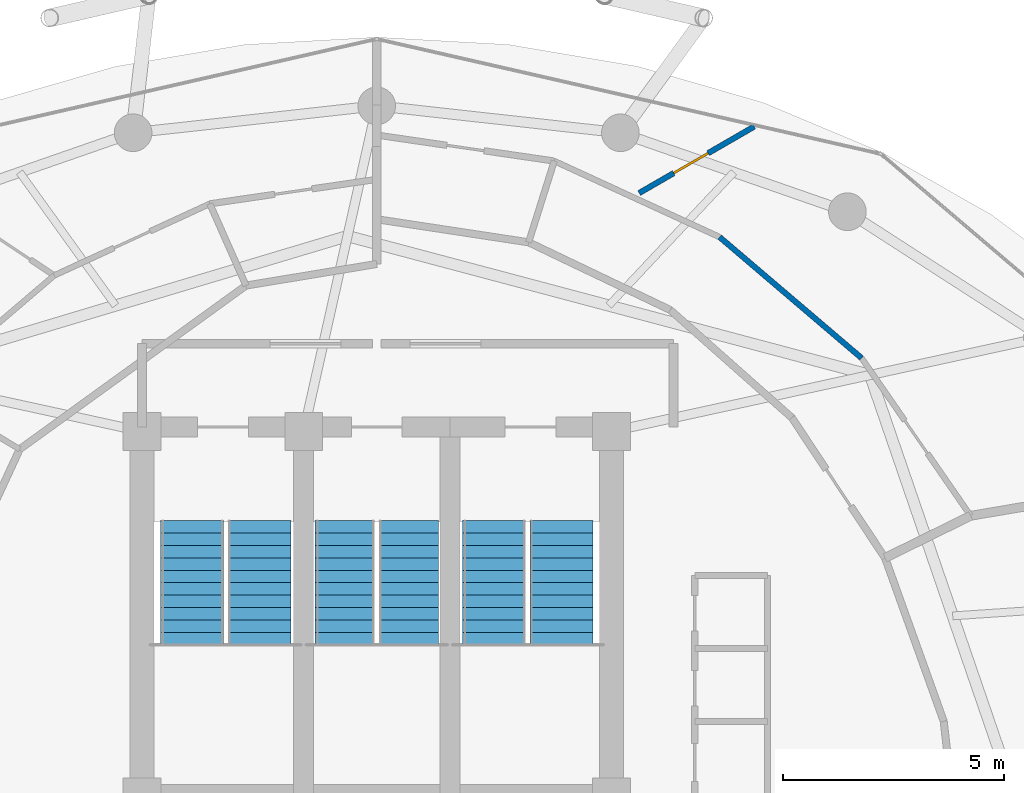
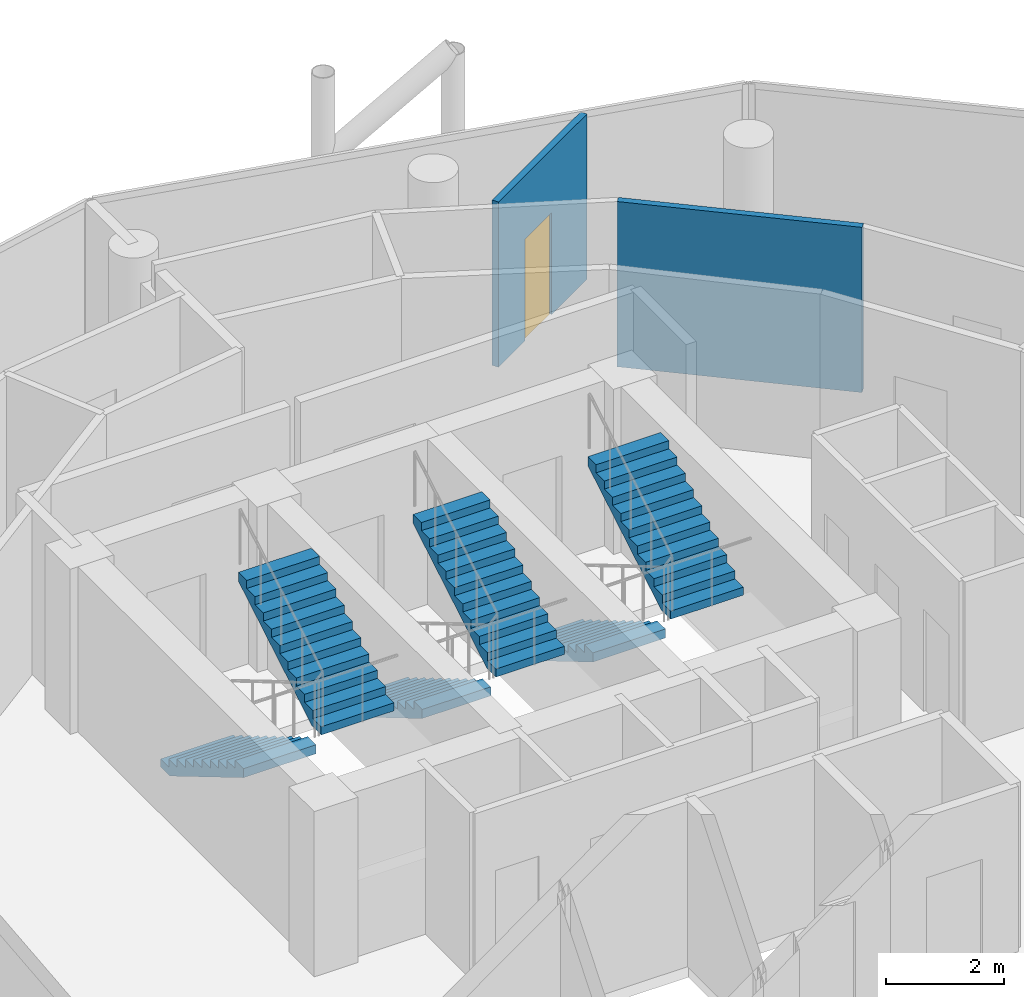
# One storey, part 26 of 27: 6 stair flights, 2 walls, 1 door, 1 opening, 3 elements without a shape of their own.
"""IFC4 building model written with IfcOpenShell, lengths in metres."""

from ifc_helpers import new_model, si_unit, direction, frame, frame_2d, origin, place, context, subcontext, project, spatial, polyline, rectangle, outline, extrude, material, layer, layer_set, type_object, element, fill, aggregate, save


model = new_model("IFC4")

# Units and contexts
model_context = context("Model", 3, precision=1e-05, world=origin(), true_north=direction((0.0, 1.0)))
body_context = subcontext(model_context, "Body", "Model", "MODEL_VIEW")
ifc_project = project(units=[si_unit("LENGTHUNIT", "METRE"), si_unit("AREAUNIT", "SQUARE_METRE"), si_unit("VOLUMEUNIT", "CUBIC_METRE"), si_unit("PLANEANGLEUNIT", "RADIAN"), si_unit("MASSUNIT", "GRAM", prefix="KILO")], contexts=[model_context])

# Site, building, storey
site_placement = place(None, origin())
site = spatial("IfcSite", under=ifc_project, at=site_placement, CompositionType="ELEMENT")
building_placement = place(site_placement, origin())
building = spatial("IfcBuilding", under=site, at=building_placement, Name="Nuhasar Tower", CompositionType="ELEMENT")
storey_placement = place(building_placement, frame((0.0, 0.0, 230.050048828125)))
storey = spatial("IfcBuildingStorey", under=building, at=storey_placement, Name="L56", CompositionType="ELEMENT", Elevation=230.050048828125)

# Wall
ifc_material_1 = material(Name="Gypsum Board", Category="gypsum")
ifc_layer = layer(ifc_material_1, 0.125)
ifc_layer_set = layer_set([ifc_layer], Name="Gypsum Board")
wall_type = type_object("IfcWallType", Name="WL-PART-125", PredefinedType="PARTITIONING", material=ifc_layer_set)
wall_1_placement = place(storey_placement, frame((49.946044921875, 38.955078125, 0.0), z_axis=(0.0, 0.0, 1.0), x_axis=(-0.761143609707, 0.648583383538, 0.0)))
element("IfcWall", 1, at=wall_1_placement, inside=storey, type_object=wall_type, Name="L56 Interior Partition UMID-03-A-06", PredefinedType="PARTITIONING", context=body_context, shape_type="SweptSolid", body=[
    extrude(rectangle(XDim=4.212158203125, YDim=0.125, at=frame_2d((2.10595703125, 0.0))), origin(), (0.0, 0.0, 1.0), 3.409912109375),
])

# Wall, opening, door
wall_2_placement = place(storey_placement, frame((44.924072265625, 42.680908203125, 0.0), z_axis=(0.0, 0.0, 1.0), x_axis=(0.865693518227, 0.500574402561, 0.0)))
wall_2 = element("IfcWall", 2, at=wall_2_placement, inside=storey, type_object=wall_type, Name="L56 Interior Partition UOUT-03-B1", PredefinedType="PARTITIONING", context=body_context, shape_type="SweptSolid", body=[
    extrude(rectangle(XDim=3.0009765625, YDim=0.125, at=frame_2d((1.50048828125, 0.0))), origin(), (0.0, 0.0, 1.0), 3.409912109375),
])
opening_placement = place(wall_2_placement, frame((0.89990234375, 0.0, 0.0)))
opening = element("IfcOpeningElement", 3, at=opening_placement, cuts=wall_2, Name="Opening DR-01", PredefinedType="OPENING", context=body_context, shape_type="SweptSolid", body=[
    extrude(rectangle(XDim=0.89990234375, YDim=2.10009765625, at=frame_2d((0.449951171875, 1.050048828125))), frame((0.0, 0.072509765625, 0.0), z_axis=(0.0, -1.0, 0.0), x_axis=(1.0, 0.0, 0.0)), (0.0, 0.0, 1.0), 0.14501953125),
])
ifc_material_2 = material(Name="Timber Oak", Category="wood")
door_type = type_object("IfcDoorType", Name="DR-ROOM-900", OperationType="NOTDEFINED", PredefinedType="DOOR", material=ifc_material_2)
door_placement = place(opening_placement, origin())
door = element("IfcDoor", 4, at=door_placement, inside=storey, type_object=door_type, Name="L56 U03 Bedroom Door", OperationType="SINGLE_SWING_LEFT", OverallHeight=2.10009765625, OverallWidth=0.89990234375, PredefinedType="DOOR", context=body_context, shape_type="SweptSolid", body=[
    extrude(rectangle(XDim=0.89990234375, YDim=2.10009765625, at=frame_2d((0.449951171875, 1.050048828125))), frame((0.0, 0.02490234375, 0.0), z_axis=(0.0, -1.0, 0.0), x_axis=(1.0, 0.0, 0.0)), (0.0, 0.0, 1.0), 0.050048828125),
])
fill(opening, door)

# Stair, stair flights
ifc_material_3 = material(Name="Concrete C45/55", Category="concrete")
stair_type_1 = type_object("IfcStairType", Name="STR-ST-01-2F-22R-1659", PredefinedType="HALF_TURN_STAIR", material=ifc_material_3)
stair_1_placement = place(storey_placement, origin())
stair_1 = element("IfcStair", 5, at=stair_1_placement, inside=storey, type_object=stair_type_1, Name="L56 Exit Stair ST-01", PredefinedType="HALF_TURN_STAIR")
stair_flight_type_1 = type_object("IfcStairFlightType", Name="SFL-ST-01-11R-1659", PredefinedType="STRAIGHT", material=ifc_material_3)
stair_flight_1_placement = place(storey_placement, frame((34.830078125, 35.284912109375, 0.0), z_axis=(0.0, 0.0, 1.0), x_axis=(0.0, -1.0, 0.0)))
stair_flight_1 = element("IfcStairFlight", 6, at=stair_flight_1_placement, type_object=stair_flight_type_1, Name="ST-01 flight 1", NumberOfRisers=11, NumberOfTreads=10, PredefinedType="STRAIGHT", RiserHeight=0.165909, TreadLength=0.28, context=body_context, shape_type="SweptSolid", body=[
    extrude(outline(polyline([(0.0, 0.0), (0.0, 0.166015625), (0.280029296875, 0.166015625), (0.280029296875, 0.331787109375), (0.56005859375, 0.331787109375), (0.56005859375, 0.497802734375), (0.840087890625, 0.497802734375), (0.840087890625, 0.66357421875), (1.1201171875, 0.66357421875), (1.1201171875, 0.82958984375), (1.39990234375, 0.82958984375), (1.39990234375, 0.995361328125), (1.679931640625, 0.995361328125), (1.679931640625, 1.161376953125), (1.9599609375, 1.161376953125), (1.9599609375, 1.327392578125), (2.239990234375, 1.327392578125), (2.239990234375, 1.4931640625), (2.52001953125, 1.4931640625), (2.52001953125, 1.6591796875), (2.800048828125, 1.6591796875), (2.800048828125, 1.824951171875), (2.800048828125, 1.47314453125), (0.313720703125, 0.0), (0.0, 0.0)])), frame((0.0, 0.7099609375, 0.0), z_axis=(0.0, -1.0, 0.0), x_axis=(1.0, 0.0, 0.0)), (0.0, 0.0, 1.0), 1.419921875),
])
stair_flight_2_placement = place(storey_placement, frame((36.35009765625, 32.485107421875, 1.824951171875), z_axis=(0.0, 0.0, 1.0), x_axis=(0.0, 1.0, 0.0)))
stair_flight_2 = element("IfcStairFlight", 7, at=stair_flight_2_placement, type_object=stair_flight_type_1, Name="ST-01 flight 2", NumberOfRisers=11, NumberOfTreads=10, PredefinedType="STRAIGHT", RiserHeight=0.165909, TreadLength=0.28, context=body_context, shape_type="SweptSolid", body=[
    extrude(outline(polyline([(0.0, 0.0), (0.0, 0.166015625), (0.280029296875, 0.166015625), (0.280029296875, 0.331787109375), (0.56005859375, 0.331787109375), (0.56005859375, 0.497802734375), (0.840087890625, 0.497802734375), (0.840087890625, 0.66357421875), (1.1201171875, 0.66357421875), (1.1201171875, 0.82958984375), (1.39990234375, 0.82958984375), (1.39990234375, 0.995361328125), (1.679931640625, 0.995361328125), (1.679931640625, 1.161376953125), (1.9599609375, 1.161376953125), (1.9599609375, 1.327392578125), (2.239990234375, 1.327392578125), (2.239990234375, 1.4931640625), (2.52001953125, 1.4931640625), (2.52001953125, 1.6591796875), (2.800048828125, 1.6591796875), (2.800048828125, 1.824951171875), (2.800048828125, 1.47314453125), (0.313720703125, 0.0), (0.0, 0.0)])), frame((0.0, 0.7099609375, 0.0), z_axis=(0.0, -1.0, 0.0), x_axis=(1.0, 0.0, 0.0)), (0.0, 0.0, 1.0), 1.419921875),
])
aggregate(stair_1, [stair_flight_1, stair_flight_2])

stair_type_2 = type_object("IfcStairType", Name="STR-ST-02-2F-22R-1659", PredefinedType="HALF_TURN_STAIR", material=ifc_material_3)
stair_2_placement = place(storey_placement, origin())
stair_2 = element("IfcStair", 8, at=stair_2_placement, inside=storey, type_object=stair_type_2, Name="L56 Exit Stair ST-02", PredefinedType="HALF_TURN_STAIR")
stair_flight_type_2 = type_object("IfcStairFlightType", Name="SFL-ST-02-11R-1659", PredefinedType="STRAIGHT", material=ifc_material_3)
stair_flight_3_placement = place(storey_placement, frame((41.64990234375, 35.284912109375, 0.0), z_axis=(0.0, 0.0, 1.0), x_axis=(0.0, -1.0, 0.0)))
stair_flight_3 = element("IfcStairFlight", 9, at=stair_flight_3_placement, type_object=stair_flight_type_2, Name="ST-02 flight 1", NumberOfRisers=11, NumberOfTreads=10, PredefinedType="STRAIGHT", RiserHeight=0.165909, TreadLength=0.28, context=body_context, shape_type="SweptSolid", body=[
    extrude(outline(polyline([(0.0, 0.0), (0.0, 0.166015625), (0.280029296875, 0.166015625), (0.280029296875, 0.331787109375), (0.56005859375, 0.331787109375), (0.56005859375, 0.497802734375), (0.840087890625, 0.497802734375), (0.840087890625, 0.66357421875), (1.1201171875, 0.66357421875), (1.1201171875, 0.82958984375), (1.39990234375, 0.82958984375), (1.39990234375, 0.995361328125), (1.679931640625, 0.995361328125), (1.679931640625, 1.161376953125), (1.9599609375, 1.161376953125), (1.9599609375, 1.327392578125), (2.239990234375, 1.327392578125), (2.239990234375, 1.4931640625), (2.52001953125, 1.4931640625), (2.52001953125, 1.6591796875), (2.800048828125, 1.6591796875), (2.800048828125, 1.824951171875), (2.800048828125, 1.47314453125), (0.313720703125, 0.0), (0.0, 0.0)])), frame((0.0, 0.7099609375, 0.0), z_axis=(0.0, -1.0, 0.0), x_axis=(1.0, 0.0, 0.0)), (0.0, 0.0, 1.0), 1.419921875),
])
stair_flight_4_placement = place(storey_placement, frame((43.169921875, 32.485107421875, 1.824951171875), z_axis=(0.0, 0.0, 1.0), x_axis=(0.0, 1.0, 0.0)))
stair_flight_4 = element("IfcStairFlight", 10, at=stair_flight_4_placement, type_object=stair_flight_type_2, Name="ST-02 flight 2", NumberOfRisers=11, NumberOfTreads=10, PredefinedType="STRAIGHT", RiserHeight=0.165909, TreadLength=0.28, context=body_context, shape_type="SweptSolid", body=[
    extrude(outline(polyline([(0.0, 0.0), (0.0, 0.166015625), (0.280029296875, 0.166015625), (0.280029296875, 0.331787109375), (0.56005859375, 0.331787109375), (0.56005859375, 0.497802734375), (0.840087890625, 0.497802734375), (0.840087890625, 0.66357421875), (1.1201171875, 0.66357421875), (1.1201171875, 0.82958984375), (1.39990234375, 0.82958984375), (1.39990234375, 0.995361328125), (1.679931640625, 0.995361328125), (1.679931640625, 1.161376953125), (1.9599609375, 1.161376953125), (1.9599609375, 1.327392578125), (2.239990234375, 1.327392578125), (2.239990234375, 1.4931640625), (2.52001953125, 1.4931640625), (2.52001953125, 1.6591796875), (2.800048828125, 1.6591796875), (2.800048828125, 1.824951171875), (2.800048828125, 1.47314453125), (0.313720703125, 0.0), (0.0, 0.0)])), frame((0.0, 0.7099609375, 0.0), z_axis=(0.0, -1.0, 0.0), x_axis=(1.0, 0.0, 0.0)), (0.0, 0.0, 1.0), 1.419921875),
])
aggregate(stair_2, [stair_flight_3, stair_flight_4])

stair_type_3 = type_object("IfcStairType", Name="STR-ST-03-2F-22R-1659", PredefinedType="HALF_TURN_STAIR", material=ifc_material_3)
stair_3_placement = place(storey_placement, origin())
stair_3 = element("IfcStair", 11, at=stair_3_placement, inside=storey, type_object=stair_type_3, Name="L56 Exit Stair ST-03", PredefinedType="HALF_TURN_STAIR")
stair_flight_type_3 = type_object("IfcStairFlightType", Name="SFL-ST-03-11R-1659", PredefinedType="STRAIGHT", material=ifc_material_3)
stair_flight_5_placement = place(storey_placement, frame((38.280029296875, 35.284912109375, 0.0), z_axis=(0.0, 0.0, 1.0), x_axis=(0.0, -1.0, 0.0)))
stair_flight_5 = element("IfcStairFlight", 12, at=stair_flight_5_placement, type_object=stair_flight_type_3, Name="ST-03 flight 1", NumberOfRisers=11, NumberOfTreads=10, PredefinedType="STRAIGHT", RiserHeight=0.165909, TreadLength=0.28, context=body_context, shape_type="SweptSolid", body=[
    extrude(outline(polyline([(0.0, 0.0), (0.0, 0.166015625), (0.280029296875, 0.166015625), (0.280029296875, 0.331787109375), (0.56005859375, 0.331787109375), (0.56005859375, 0.497802734375), (0.840087890625, 0.497802734375), (0.840087890625, 0.66357421875), (1.1201171875, 0.66357421875), (1.1201171875, 0.82958984375), (1.39990234375, 0.82958984375), (1.39990234375, 0.995361328125), (1.679931640625, 0.995361328125), (1.679931640625, 1.161376953125), (1.9599609375, 1.161376953125), (1.9599609375, 1.327392578125), (2.239990234375, 1.327392578125), (2.239990234375, 1.4931640625), (2.52001953125, 1.4931640625), (2.52001953125, 1.6591796875), (2.800048828125, 1.6591796875), (2.800048828125, 1.824951171875), (2.800048828125, 1.47314453125), (0.313720703125, 0.0), (0.0, 0.0)])), frame((0.0, 0.669921875, 0.0), z_axis=(0.0, -1.0, 0.0), x_axis=(1.0, 0.0, 0.0)), (0.0, 0.0, 1.0), 1.340087890625),
])
stair_flight_6_placement = place(storey_placement, frame((39.719970703125, 32.485107421875, 1.824951171875), z_axis=(0.0, 0.0, 1.0), x_axis=(0.0, 1.0, 0.0)))
stair_flight_6 = element("IfcStairFlight", 13, at=stair_flight_6_placement, type_object=stair_flight_type_3, Name="ST-03 flight 2", NumberOfRisers=11, NumberOfTreads=10, PredefinedType="STRAIGHT", RiserHeight=0.165909, TreadLength=0.28, context=body_context, shape_type="SweptSolid", body=[
    extrude(outline(polyline([(0.0, 0.0), (0.0, 0.166015625), (0.280029296875, 0.166015625), (0.280029296875, 0.331787109375), (0.56005859375, 0.331787109375), (0.56005859375, 0.497802734375), (0.840087890625, 0.497802734375), (0.840087890625, 0.66357421875), (1.1201171875, 0.66357421875), (1.1201171875, 0.82958984375), (1.39990234375, 0.82958984375), (1.39990234375, 0.995361328125), (1.679931640625, 0.995361328125), (1.679931640625, 1.161376953125), (1.9599609375, 1.161376953125), (1.9599609375, 1.327392578125), (2.239990234375, 1.327392578125), (2.239990234375, 1.4931640625), (2.52001953125, 1.4931640625), (2.52001953125, 1.6591796875), (2.800048828125, 1.6591796875), (2.800048828125, 1.824951171875), (2.800048828125, 1.47314453125), (0.313720703125, 0.0), (0.0, 0.0)])), frame((0.0, 0.669921875, 0.0), z_axis=(0.0, -1.0, 0.0), x_axis=(1.0, 0.0, 0.0)), (0.0, 0.0, 1.0), 1.340087890625),
])
aggregate(stair_3, [stair_flight_5, stair_flight_6])

save(model, "model.ifc")
